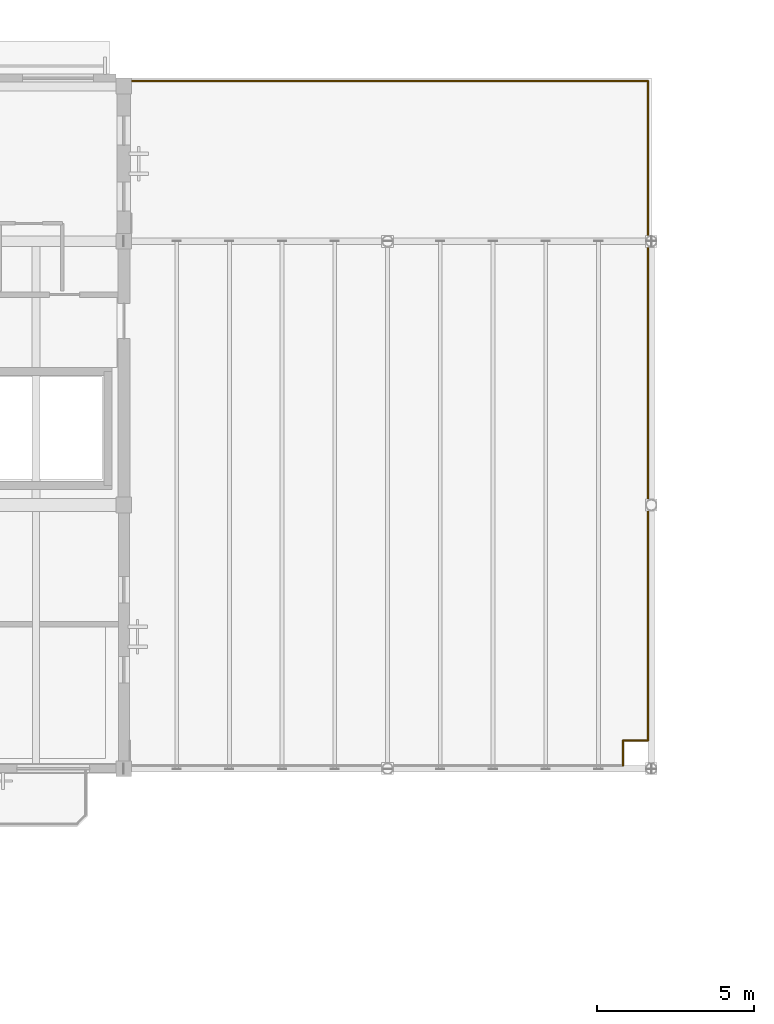
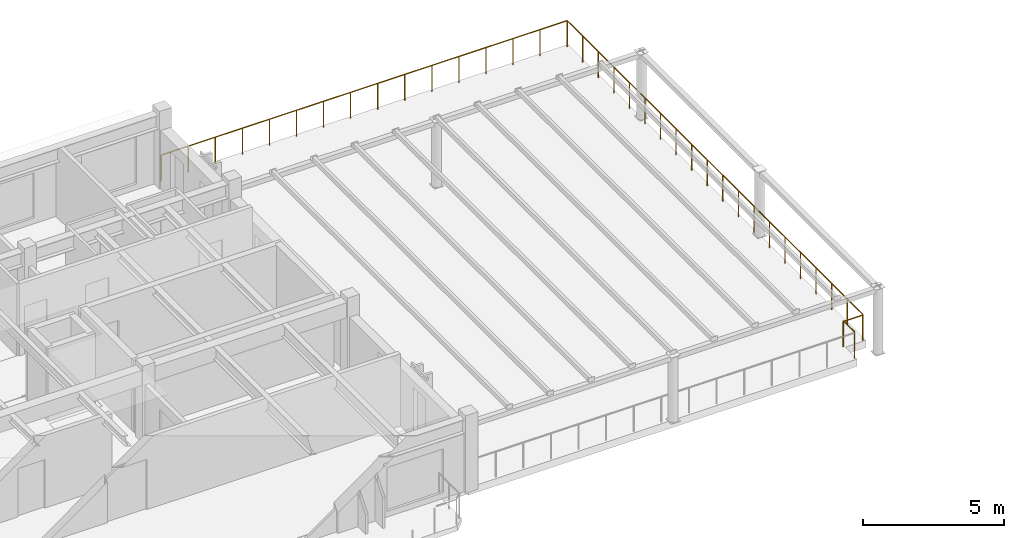
# One storey, part 24 of 24: 4 railings.
"""IFC4 building model written with IfcOpenShell, lengths in metres."""

from ifc_helpers import new_model, si_unit, direction, frame, origin, origin_2d, place, context, subcontext, project, spatial, circle, extrude, material, type_object, element, save


model = new_model("IFC4")

# Units and contexts
model_context = context("Model", 3, precision=1e-05, world=origin(), true_north=direction((0.0, 1.0)))
body_context = subcontext(model_context, "Body", "Model", "MODEL_VIEW")
ifc_project = project(units=[si_unit("LENGTHUNIT", "METRE"), si_unit("AREAUNIT", "SQUARE_METRE"), si_unit("VOLUMEUNIT", "CUBIC_METRE"), si_unit("PLANEANGLEUNIT", "RADIAN"), si_unit("MASSUNIT", "GRAM", prefix="KILO")], contexts=[model_context])

# Site, building, storey
site_placement = place(None, origin())
site = spatial("IfcSite", under=ifc_project, at=site_placement, CompositionType="ELEMENT")
building_placement = place(site_placement, origin())
building = spatial("IfcBuilding", under=site, at=building_placement, Name="Cumbredor Promenade Congress Hotel", CompositionType="ELEMENT")
storey_placement = place(building_placement, frame((0.0, 0.0, 35.280029296875)))
storey = spatial("IfcBuildingStorey", under=building, at=storey_placement, Name="L10", CompositionType="ELEMENT", Elevation=35.280029296875)

# Railings
ifc_material = material(Name="Brushed stainless steel", Category="steel")
railing_type_1 = type_object("IfcRailingType", Name="Sky Garden Glass-and-Steel Balustrade BAL-1150", PredefinedType="BALUSTRADE", material=ifc_material)
railing_1_placement = place(storey_placement, frame((67.10009765625, 93.300048828125, 0.0)))
element("IfcRailing", 1, at=railing_1_placement, inside=storey, type_object=railing_type_1, Name="L10 Cordillera Crown East Observation Terrace Balustrade 78", PredefinedType="BALUSTRADE", context=body_context, shape_type="SweptSolid", body=[
    extrude(circle(Radius=0.02392578125, at=origin_2d()), frame((0.0, 0.0, 1.1259765625), z_axis=(0.0, 1.0, 0.0), x_axis=(-1.0, 0.0, 0.0)), (0.0, 0.0, 1.0), 21.0),
    extrude(circle(Radius=0.02099609375, at=origin_2d()), origin(), (0.0, 0.0, 1.0), 1.101806640625),
    extrude(circle(Radius=0.02099609375, at=origin_2d()), frame((0.0, 1.105224609375, 0.0)), (0.0, 0.0, 1.0), 1.101806640625),
    extrude(circle(Radius=0.02099609375, at=origin_2d()), frame((0.0, 2.21044921875, 0.0)), (0.0, 0.0, 1.0), 1.101806640625),
    extrude(circle(Radius=0.02099609375, at=origin_2d()), frame((0.0, 3.315673828125, 0.0)), (0.0, 0.0, 1.0), 1.101806640625),
    extrude(circle(Radius=0.02099609375, at=origin_2d()), frame((0.0, 4.421142578125, 0.0)), (0.0, 0.0, 1.0), 1.101806640625),
    extrude(circle(Radius=0.02099609375, at=origin_2d()), frame((0.0, 5.5263671875, 0.0)), (0.0, 0.0, 1.0), 1.101806640625),
    extrude(circle(Radius=0.02099609375, at=origin_2d()), frame((0.0, 6.631591796875, 0.0)), (0.0, 0.0, 1.0), 1.101806640625),
    extrude(circle(Radius=0.02099609375, at=origin_2d()), frame((0.0, 7.73681640625, 0.0)), (0.0, 0.0, 1.0), 1.101806640625),
    extrude(circle(Radius=0.02099609375, at=origin_2d()), frame((0.0, 8.842041015625, 0.0)), (0.0, 0.0, 1.0), 1.101806640625),
    extrude(circle(Radius=0.02099609375, at=origin_2d()), frame((0.0, 9.947265625, 0.0)), (0.0, 0.0, 1.0), 1.101806640625),
    extrude(circle(Radius=0.02099609375, at=origin_2d()), frame((0.0, 11.052734375, 0.0)), (0.0, 0.0, 1.0), 1.101806640625),
    extrude(circle(Radius=0.02099609375, at=origin_2d()), frame((0.0, 12.157958984375, 0.0)), (0.0, 0.0, 1.0), 1.101806640625),
    extrude(circle(Radius=0.02099609375, at=origin_2d()), frame((0.0, 13.26318359375, 0.0)), (0.0, 0.0, 1.0), 1.101806640625),
    extrude(circle(Radius=0.02099609375, at=origin_2d()), frame((0.0, 14.368408203125, 0.0)), (0.0, 0.0, 1.0), 1.101806640625),
    extrude(circle(Radius=0.02099609375, at=origin_2d()), frame((0.0, 15.4736328125, 0.0)), (0.0, 0.0, 1.0), 1.101806640625),
    extrude(circle(Radius=0.02099609375, at=origin_2d()), frame((0.0, 16.578857421875, 0.0)), (0.0, 0.0, 1.0), 1.101806640625),
    extrude(circle(Radius=0.02099609375, at=origin_2d()), frame((0.0, 17.684326171875, 0.0)), (0.0, 0.0, 1.0), 1.101806640625),
    extrude(circle(Radius=0.02099609375, at=origin_2d()), frame((0.0, 18.78955078125, 0.0)), (0.0, 0.0, 1.0), 1.101806640625),
    extrude(circle(Radius=0.02099609375, at=origin_2d()), frame((0.0, 19.894775390625, 0.0)), (0.0, 0.0, 1.0), 1.101806640625),
    extrude(circle(Radius=0.02099609375, at=origin_2d()), frame((0.0, 21.0, 0.0)), (0.0, 0.0, 1.0), 1.101806640625),
])
railing_2_placement = place(storey_placement, frame((66.300048828125, 92.5, 0.0)))
element("IfcRailing", 2, at=railing_2_placement, inside=storey, type_object=railing_type_1, Name="L10 Cordillera Crown East Observation Terrace Balustrade 80", PredefinedType="BALUSTRADE", context=body_context, shape_type="SweptSolid", body=[
    extrude(circle(Radius=0.02392578125, at=origin_2d()), frame((0.0, 0.0, 1.1259765625), z_axis=(0.0, 1.0, 0.0), x_axis=(-1.0, 0.0, 0.0)), (0.0, 0.0, 1.0), 0.800048828125),
    extrude(circle(Radius=0.02099609375, at=origin_2d()), origin(), (0.0, 0.0, 1.0), 1.101806640625),
    extrude(circle(Radius=0.02099609375, at=origin_2d()), frame((0.0, 0.800048828125, 0.0)), (0.0, 0.0, 1.0), 1.101806640625),
])
railing_3_placement = place(storey_placement, frame((50.449951171875, 114.300048828125, 0.0)))
element("IfcRailing", 3, at=railing_3_placement, inside=storey, type_object=railing_type_1, Name="L10 Cordillera Crown East Observation Terrace Balustrade 82", PredefinedType="BALUSTRADE", context=body_context, shape_type="SweptSolid", body=[
    extrude(circle(Radius=0.02392578125, at=origin_2d()), frame((0.0, 0.0, 1.1259765625), z_axis=(1.0, 0.0, 0.0), x_axis=(0.0, 1.0, 0.0)), (0.0, 0.0, 1.0), 16.650146484375),
    extrude(circle(Radius=0.02099609375, at=origin_2d()), origin(), (0.0, 0.0, 1.0), 1.101806640625),
    extrude(circle(Radius=0.02099609375, at=origin_2d()), frame((1.110107421875, 0.0, 0.0)), (0.0, 0.0, 1.0), 1.101806640625),
    extrude(circle(Radius=0.02099609375, at=origin_2d()), frame((2.219970703125, 0.0, 0.0)), (0.0, 0.0, 1.0), 1.101806640625),
    extrude(circle(Radius=0.02099609375, at=origin_2d()), frame((3.330078125, 0.0, 0.0)), (0.0, 0.0, 1.0), 1.101806640625),
    extrude(circle(Radius=0.02099609375, at=origin_2d()), frame((4.43994140625, 0.0, 0.0)), (0.0, 0.0, 1.0), 1.101806640625),
    extrude(circle(Radius=0.02099609375, at=origin_2d()), frame((5.550048828125, 0.0, 0.0)), (0.0, 0.0, 1.0), 1.101806640625),
    extrude(circle(Radius=0.02099609375, at=origin_2d()), frame((6.66015625, 0.0, 0.0)), (0.0, 0.0, 1.0), 1.101806640625),
    extrude(circle(Radius=0.02099609375, at=origin_2d()), frame((7.77001953125, 0.0, 0.0)), (0.0, 0.0, 1.0), 1.101806640625),
    extrude(circle(Radius=0.02099609375, at=origin_2d()), frame((8.880126953125, 0.0, 0.0)), (0.0, 0.0, 1.0), 1.101806640625),
    extrude(circle(Radius=0.02099609375, at=origin_2d()), frame((9.989990234375, 0.0, 0.0)), (0.0, 0.0, 1.0), 1.101806640625),
    extrude(circle(Radius=0.02099609375, at=origin_2d()), frame((11.10009765625, 0.0, 0.0)), (0.0, 0.0, 1.0), 1.101806640625),
    extrude(circle(Radius=0.02099609375, at=origin_2d()), frame((12.210205078125, 0.0, 0.0)), (0.0, 0.0, 1.0), 1.101806640625),
    extrude(circle(Radius=0.02099609375, at=origin_2d()), frame((13.320068359375, 0.0, 0.0)), (0.0, 0.0, 1.0), 1.101806640625),
    extrude(circle(Radius=0.02099609375, at=origin_2d()), frame((14.43017578125, 0.0, 0.0)), (0.0, 0.0, 1.0), 1.101806640625),
    extrude(circle(Radius=0.02099609375, at=origin_2d()), frame((15.5400390625, 0.0, 0.0)), (0.0, 0.0, 1.0), 1.101806640625),
    extrude(circle(Radius=0.02099609375, at=origin_2d()), frame((16.650146484375, 0.0, 0.0)), (0.0, 0.0, 1.0), 1.101806640625),
])
railing_type_2 = type_object("IfcRailingType", Name="Terrace Perimeter Balustrade BAL-1120", PredefinedType="BALUSTRADE", material=ifc_material)
railing_4_placement = place(storey_placement, frame((66.300048828125, 93.300048828125, 0.0)))
element("IfcRailing", 4, at=railing_4_placement, inside=storey, type_object=railing_type_2, Name="L10 Cordillera Crown East Observation Terrace Balustrade 81", PredefinedType="BALUSTRADE", context=body_context, shape_type="SweptSolid", body=[
    extrude(circle(Radius=0.02392578125, at=origin_2d()), frame((0.0, 0.0, 1.09619140625), z_axis=(1.0, 0.0, 0.0), x_axis=(0.0, 1.0, 0.0)), (0.0, 0.0, 1.0), 0.800048828125),
    extrude(circle(Radius=0.02099609375, at=origin_2d()), origin(), (0.0, 0.0, 1.0), 1.072021484375),
    extrude(circle(Radius=0.02099609375, at=origin_2d()), frame((0.800048828125, 0.0, 0.0)), (0.0, 0.0, 1.0), 1.072021484375),
])

save(model, "model.ifc")
